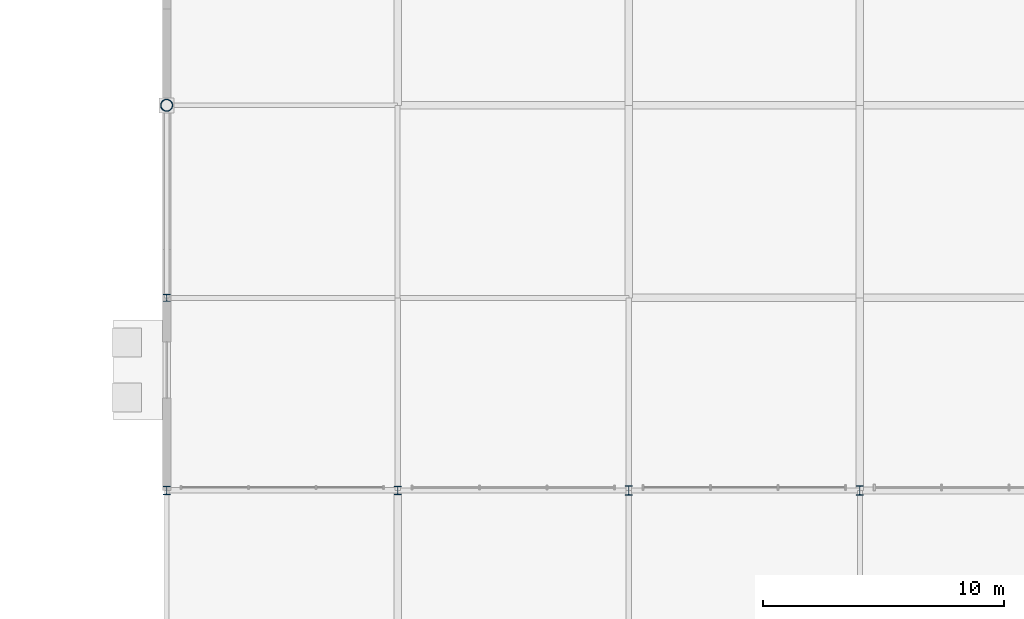
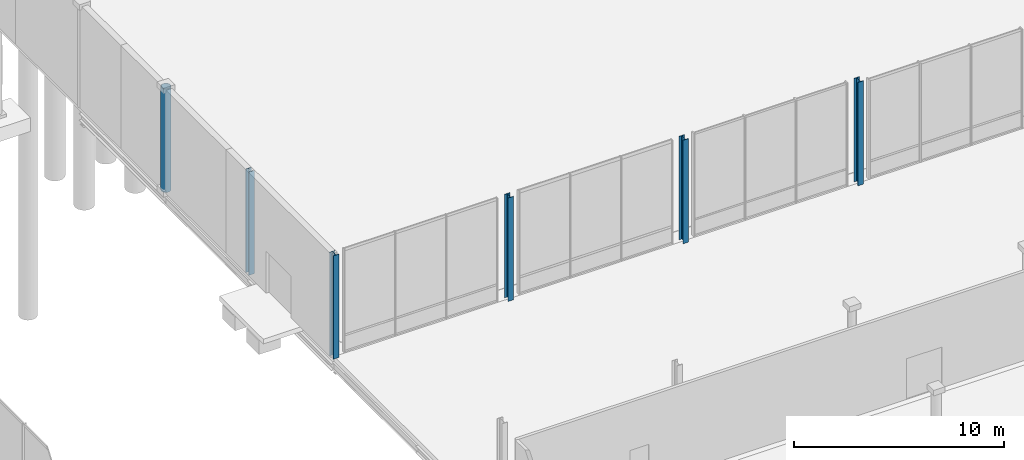
# One storey, part 19 of 124: 6 columns.
"""IFC4 building model written with IfcOpenShell, lengths in metres."""

import ifcopenshell
import ifcopenshell.guid

model = None  # the IFC model being written
_history = None  # IfcOwnerHistory: only IFC2X3 demands one
_inside = {}  # id of a spatial element -> (the spatial element, [elements in it])
_under = {}  # id of a project, library or spatial element -> (it, [spatial elements below it])
_declared = {}  # id of a project -> (the project, [libraries it declares])
_typed = {}  # id of a type object -> (the type object, [elements of that type])
_made_of = {}  # id of a material, layer set ... -> (it, [elements and type objects made of it])


def new_model(schema):
    """Start an empty IFC model of exactly this schema.

    Asked for "IFC4X3", IfcOpenShell would pick the latest addendum, in which some entities
    have other attributes; the version numbers below select the first issue.
    IFC2X3 requires an IfcOwnerHistory on every rooted entity: one is made here for all.
    """
    global model, _history
    if schema == "IFC4X3":
        model = ifcopenshell.file(schema_version=(4, 3, 0, 0))
    else:
        model = ifcopenshell.file(schema=schema)
    _inside.clear()
    _under.clear()
    _declared.clear()
    _typed.clear()
    _made_of.clear()
    _history = None
    if model.schema == "IFC2X3":
        org = make("IfcOrganization", Name="unknown")
        user = make(
            "IfcPersonAndOrganization",
            ThePerson=make("IfcPerson", FamilyName="unknown"),
            TheOrganization=org,
        )
        app = make(
            "IfcApplication",
            ApplicationDeveloper=org,
            Version="unknown",
            ApplicationFullName="unknown",
            ApplicationIdentifier="unknown",
        )
        _history = make(
            "IfcOwnerHistory",
            OwningUser=user,
            OwningApplication=app,
            ChangeAction="ADDED",
            CreationDate=0,
        )
    return model


def make(cls, **values):
    """One entity of the class cls with the attributes given. An attribute that is None is left unset."""
    return model.create_entity(
        cls, **{name: value for name, value in values.items() if value is not None}
    )


def rooted(cls, **values):
    """An entity with a GlobalId (a new one), such as an element, a storey or a relation."""
    return make(cls, GlobalId=ifcopenshell.guid.new(), OwnerHistory=_history, **values)


def si_unit(unit_type, name, prefix=None):
    """IfcSIUnit, for example si_unit("LENGTHUNIT", "METRE", prefix="MILLI")."""
    return make("IfcSIUnit", UnitType=unit_type, Prefix=prefix, Name=name)


def assignment(units):
    """IfcUnitAssignment: the units of a project."""
    return None if units is None else make("IfcUnitAssignment", Units=units)


def point(xyz):
    """IfcCartesianPoint."""
    return None if xyz is None else make("IfcCartesianPoint", Coordinates=xyz)


def direction(xyz):
    """IfcDirection."""
    return None if xyz is None else make("IfcDirection", DirectionRatios=xyz)


def frame(location, z_axis=None, x_axis=None):
    """IfcAxis2Placement3D, a coordinate frame: its origin and axes. An axis left out is left unset."""
    return make(
        "IfcAxis2Placement3D",
        Location=point(location),
        Axis=direction(z_axis),
        RefDirection=direction(x_axis),
    )


def frame_2d(location, x_axis=None):
    """IfcAxis2Placement2D, a coordinate frame in the plane: its origin and x axis."""
    return make(
        "IfcAxis2Placement2D", Location=point(location), RefDirection=direction(x_axis)
    )


def origin():
    """The frame at (0, 0, 0) with its axes left unset."""
    return frame((0.0, 0.0, 0.0))


def origin_2d():
    """The frame at (0, 0) in the plane with its x axis left unset."""
    return frame_2d((0.0, 0.0))


def place(relative_to, where):
    """IfcLocalPlacement: puts the frame where relative to a parent placement (None: the world)."""
    return make(
        "IfcLocalPlacement", PlacementRelTo=relative_to, RelativePlacement=where
    )


def context(
    kind, dimensions, precision=None, world=None, true_north=None, identifier=None
):
    """IfcGeometricRepresentationContext, for example the 3D "Model" context."""
    return make(
        "IfcGeometricRepresentationContext",
        ContextIdentifier=identifier,
        ContextType=kind,
        CoordinateSpaceDimension=dimensions,
        Precision=precision,
        WorldCoordinateSystem=world,
        TrueNorth=true_north,
    )


def subcontext(parent, identifier, kind, view, scale=None):
    """IfcGeometricRepresentationSubContext, for example "Body" below "Model"."""
    return make(
        "IfcGeometricRepresentationSubContext",
        ContextIdentifier=identifier,
        ContextType=kind,
        ParentContext=parent,
        TargetScale=scale,
        TargetView=view,
    )


def project(units=None, contexts=None):
    """IfcProject with its units and contexts."""
    return rooted(
        "IfcProject",
        Name="project",
        RepresentationContexts=contexts,
        UnitsInContext=assignment(units),
    )


def spatial(cls, under=None, at=None, **own):
    """A site, building, storey or space (cls), placed at a placement, below another one or the project."""
    s = rooted(cls, ObjectPlacement=at, **own)
    if under is not None:
        _under.setdefault(under.id(), (under, []))[1].append(s)
    return s


def profile(cls, at=None, kind="AREA", **sizes):
    """A parametric profile (cls). Its sizes go by their IFC names, for example OverallWidth=200.0."""
    return make(cls, ProfileType=kind, Position=at, **sizes)


def hollow_circle(**sizes):
    """IfcCircleHollowProfileDef."""
    return profile("IfcCircleHollowProfileDef", **sizes)


def i_section(**sizes):
    """IfcIShapeProfileDef."""
    return profile("IfcIShapeProfileDef", **sizes)


def extrude(swept, where, along, depth):
    """IfcExtrudedAreaSolid: the profile swept, set in the frame where, extruded along a direction by depth."""
    return make(
        "IfcExtrudedAreaSolid",
        SweptArea=swept,
        Position=where,
        ExtrudedDirection=direction(along),
        Depth=depth,
    )


def shape(context_of_items, identifier, shape_type, items):
    """IfcShapeRepresentation: the items that make up one representation, for example the "Body"."""
    return make(
        "IfcShapeRepresentation",
        ContextOfItems=context_of_items,
        RepresentationIdentifier=identifier,
        RepresentationType=shape_type,
        Items=items,
    )


def material(Name=None, Category=None):
    """IfcMaterial."""
    return make("IfcMaterial", Name=Name, Category=Category)


def material_profile(
    of_material, cross_section, Name=None, Category=None, Priority=None
):
    """IfcMaterialProfile: a cross section and its material."""
    return make(
        "IfcMaterialProfile",
        Name=Name,
        Material=of_material,
        Profile=cross_section,
        Priority=Priority,
        Category=Category,
    )


def profile_set(profiles, Name=None, composite=None):
    """IfcMaterialProfileSet."""
    return make(
        "IfcMaterialProfileSet",
        Name=Name,
        MaterialProfiles=profiles,
        CompositeProfile=composite,
    )


def made_of(thing, what):
    """Note that an element or type object is made of a material, layer set ...; save() writes the relation."""
    if what is not None:
        _made_of.setdefault(what.id(), (what, []))[1].append(thing)
    return thing


def type_object(cls, material=None, **own):
    """A type object (cls), such as IfcWallType, which elements share."""
    return made_of(rooted(cls, **own), material)


def element(
    cls,
    number,
    at=None,
    inside=None,
    cuts=None,
    type_object=None,
    material=None,
    context=None,
    identifier="Body",
    shape_type=None,
    held_by="IfcProductDefinitionShape",
    body=None,
    shapes=None,
    **own,
):
    """One element of the class cls, such as IfcWall. Its Tag is "e" and its number.

    at: its placement. inside: the storey or other place that contains it. cuts: it is an
    opening in that element (IfcRelVoidsElement). A single representation is given by context,
    identifier, shape_type and body (its items); several are given by shapes. held_by: the class
    of the entity that holds the representations. save() writes the other relations.
    """
    e = rooted(cls, Tag="e%d" % number, ObjectPlacement=at, **own)
    if body is not None:
        shapes = [shape(context, identifier, shape_type, body)]
    if shapes is not None:
        e.Representation = make(held_by, Representations=shapes)
    if inside is not None:
        _inside.setdefault(inside.id(), (inside, []))[1].append(e)
    if cuts is not None:
        rooted(
            "IfcRelVoidsElement", RelatingBuildingElement=cuts, RelatedOpeningElement=e
        )
    if type_object is not None:
        _typed.setdefault(type_object.id(), (type_object, []))[1].append(e)
    return made_of(e, material)


def aggregate(whole, parts):
    """IfcRelAggregates: a whole, such as a stair, and the parts it consists of."""
    return rooted("IfcRelAggregates", RelatingObject=whole, RelatedObjects=parts)


def save(model, path):
    """Write the relations noted so far, then the file.

    IfcRelAggregates (storeys below a building ...), IfcRelContainedInSpatialStructure (elements
    in a storey), IfcRelDefinesByType, IfcRelAssociatesMaterial and IfcRelDeclares: one each for
    every whole, place, type object, material and project.
    """
    for whole, parts in _under.values():
        aggregate(whole, parts)
    for where, things in _inside.values():
        rooted(
            "IfcRelContainedInSpatialStructure",
            RelatedElements=things,
            RelatingStructure=where,
        )
    for kind, things in _typed.values():
        rooted("IfcRelDefinesByType", RelatedObjects=things, RelatingType=kind)
    for what, things in _made_of.values():
        rooted("IfcRelAssociatesMaterial", RelatedObjects=things, RelatingMaterial=what)
    for by, libraries in _declared.values():
        rooted("IfcRelDeclares", RelatingContext=by, RelatedDefinitions=libraries)
    model.write(path)


model = new_model("IFC4")

# Units and contexts
model_context = context("Model", 3, precision=1e-05, world=origin(), true_north=direction((0.0, 1.0)))
body_context = subcontext(model_context, "Body", "Model", "MODEL_VIEW")
ifc_project = project(units=[si_unit("LENGTHUNIT", "METRE"), si_unit("AREAUNIT", "SQUARE_METRE"), si_unit("VOLUMEUNIT", "CUBIC_METRE"), si_unit("PLANEANGLEUNIT", "RADIAN"), si_unit("MASSUNIT", "GRAM", prefix="KILO")], contexts=[model_context])

# Site, building, storey
site_placement = place(None, origin())
site = spatial("IfcSite", under=ifc_project, at=site_placement, CompositionType="ELEMENT")
building_placement = place(site_placement, origin())
building = spatial("IfcBuilding", under=site, at=building_placement, Name="Danafjord Basin Convention Centre", CompositionType="ELEMENT")
storey_placement = place(building_placement, origin())
storey = spatial("IfcBuildingStorey", under=building, at=storey_placement, Name="L00", CompositionType="ELEMENT", Elevation=0.0)

# Columns
ifc_material = material(Name="Steel S355", Category="steel")
ifc_material_profile_1 = material_profile(ifc_material, hollow_circle(Radius=0.25390625, WallThickness=0.02490234375, at=origin_2d()), Name="CHS 508.0x25.0")
ifc_profile_set_1 = profile_set([ifc_material_profile_1], Name="Steel S355")
column_type_1 = type_object("IfcColumnType", Name="COL-C-CHS508", PredefinedType="COLUMN", material=ifc_profile_set_1)
column_1_placement = place(storey_placement, frame((144.0, 56.0, 0.0), z_axis=(0.0, 0.0, 1.0), x_axis=(1.0, 0.0, 0.0)))
element("IfcColumn", 1, at=column_1_placement, inside=storey, type_object=column_type_1, Name="L00 column C-CHS508 at (144.0, 56.0)", PredefinedType="COLUMN", context=body_context, shape_type="SweptSolid", body=[
    extrude(hollow_circle(Radius=0.25390625, WallThickness=0.02490234375, at=origin_2d()), origin(), (0.0, 0.0, 1.0), 6.0),
])
ifc_material_profile_2 = material_profile(ifc_material, i_section(OverallWidth=0.300048828125, OverallDepth=0.300048828125, WebThickness=0.010986328125, FlangeThickness=0.01904296875, FilletRadius=0.027099609375, at=origin_2d()), Name="HEB 300")
ifc_profile_set_2 = profile_set([ifc_material_profile_2], Name="Steel S355")
column_type_2 = type_object("IfcColumnType", Name="COL-C-HEB300", PredefinedType="COLUMN", material=ifc_profile_set_2)
column_2_placement = place(storey_placement, frame((144.0, 48.0, 0.0), z_axis=(0.0, 0.0, 1.0), x_axis=(1.0, 0.0, 0.0)))
element("IfcColumn", 2, at=column_2_placement, inside=storey, type_object=column_type_2, Name="L00 column C-HEB300 at (144.0, 48.0)", PredefinedType="COLUMN", context=body_context, shape_type="SweptSolid", body=[
    extrude(i_section(OverallWidth=0.300048828125, OverallDepth=0.300048828125, WebThickness=0.010986328125, FlangeThickness=0.01904296875, FilletRadius=0.027099609375, at=origin_2d()), origin(), (0.0, 0.0, 1.0), 6.0),
])
ifc_material_profile_3 = material_profile(ifc_material, i_section(OverallWidth=0.300048828125, OverallDepth=0.360107421875, WebThickness=0.012451171875, FlangeThickness=0.0224609375, FilletRadius=0.027099609375, at=origin_2d()), Name="HEB 360")
ifc_profile_set_3 = profile_set([ifc_material_profile_3], Name="Steel S355")
column_type_3 = type_object("IfcColumnType", Name="COL-C-HEB360", PredefinedType="COLUMN", material=ifc_profile_set_3)
for number, where, z_axis, x_axis, name in (
    (3, (144.0, 40.0, 0.0), (0.0, 0.0, 1.0), (1.0, 0.0, 0.0), "L00 column C-HEB360 at (144.0, 40.0)"),
    (4, (153.60009765625, 40.0, 0.0), (0.0, 0.0, 1.0), (1.0, 0.0, 0.0), "L00 column C-HEB360 at (153.6, 40.0)"),
):
    element("IfcColumn", number, at=place(storey_placement, frame(where, z_axis=z_axis, x_axis=x_axis)), inside=storey, type_object=column_type_3, Name=name, PredefinedType="COLUMN", context=body_context, shape_type="SweptSolid", body=[
        extrude(i_section(OverallWidth=0.300048828125, OverallDepth=0.360107421875, WebThickness=0.012451171875, FlangeThickness=0.0224609375, FilletRadius=0.027099609375, at=origin_2d()), origin(), (0.0, 0.0, 1.0), 6.0),
    ])
ifc_material_profile_4 = material_profile(ifc_material, i_section(OverallWidth=0.300048828125, OverallDepth=0.39990234375, WebThickness=0.013427734375, FlangeThickness=0.02392578125, FilletRadius=0.027099609375, at=origin_2d()), Name="HEB 400")
ifc_profile_set_4 = profile_set([ifc_material_profile_4], Name="Steel S355")
column_type_4 = type_object("IfcColumnType", Name="COL-C-HEB400", PredefinedType="COLUMN", material=ifc_profile_set_4)
for number, where, z_axis, x_axis, name in (
    (5, (163.199951171875, 40.0, 0.0), (0.0, 0.0, 1.0), (1.0, 0.0, 0.0), "L00 column C-HEB400 at (163.2, 40.0)"),
    (6, (172.800048828125, 40.0, 0.0), (0.0, 0.0, 1.0), (1.0, 0.0, 0.0), "L00 column C-HEB400 at (172.8, 40.0)"),
):
    element("IfcColumn", number, at=place(storey_placement, frame(where, z_axis=z_axis, x_axis=x_axis)), inside=storey, type_object=column_type_4, Name=name, PredefinedType="COLUMN", context=body_context, shape_type="SweptSolid", body=[
        extrude(i_section(OverallWidth=0.300048828125, OverallDepth=0.39990234375, WebThickness=0.013427734375, FlangeThickness=0.02392578125, FilletRadius=0.027099609375, at=origin_2d()), origin(), (0.0, 0.0, 1.0), 6.0),
    ])

save(model, "model.ifc")
